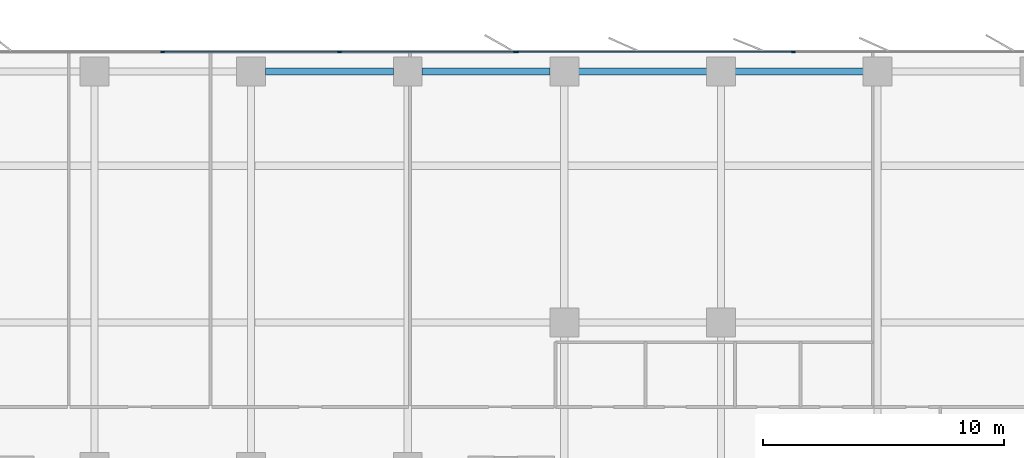
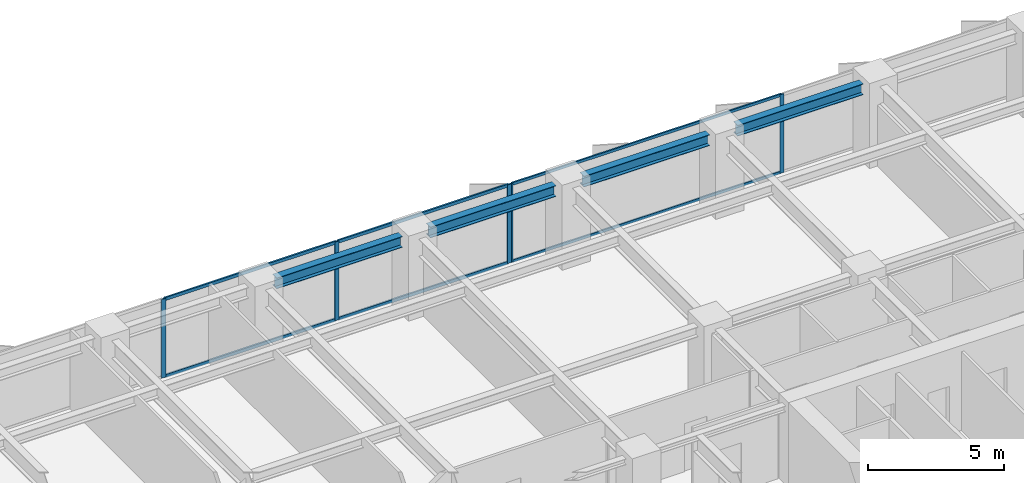
# One storey, part 9 of 20: 11 members, 4 beams, 2 elements without a shape of their own.
"""IFC4 building model written with IfcOpenShell, lengths in metres."""

from ifc_helpers import new_model, si_unit, direction, frame, origin, origin_2d, place, context, subcontext, project, spatial, rectangle, i_section, extrude, material, layer, layer_set, material_profile, profile_set, type_object, element, aggregate, save


model = new_model("IFC4")

# Units and contexts
model_context = context("Model", 3, precision=1e-05, world=origin(), true_north=direction((0.0, 1.0)))
body_context = subcontext(model_context, "Body", "Model", "MODEL_VIEW")
ifc_project = project(units=[si_unit("LENGTHUNIT", "METRE"), si_unit("AREAUNIT", "SQUARE_METRE"), si_unit("VOLUMEUNIT", "CUBIC_METRE"), si_unit("PLANEANGLEUNIT", "RADIAN"), si_unit("MASSUNIT", "GRAM", prefix="KILO")], contexts=[model_context])

# Site, building, storey
site_placement = place(None, origin())
site = spatial("IfcSite", under=ifc_project, at=site_placement, CompositionType="ELEMENT")
building_placement = place(site_placement, origin())
building = spatial("IfcBuilding", under=site, at=building_placement, Name="Putna Gate Headquarters", CompositionType="ELEMENT")
storey_placement = place(building_placement, frame((0.0, 0.0, 135.39990234375)))
storey = spatial("IfcBuildingStorey", under=building, at=storey_placement, Name="L33", CompositionType="ELEMENT", Elevation=135.39990234375)

# Beams
ifc_material_1 = material(Name="Steel S355J2", Category="steel")
ifc_material_profile_1 = material_profile(ifc_material_1, i_section(OverallWidth=0.300048828125, OverallDepth=0.489990234375, WebThickness=0.011962890625, FlangeThickness=0.02294921875, at=origin_2d()), Name="Steel S355J2")
ifc_profile_set_1 = profile_set([ifc_material_profile_1], Name="Steel S355J2")
beam_type = type_object("IfcBeamType", Name="BM-SPAN-Z2-HEA500", PredefinedType="SPANDREL", material=ifc_profile_set_1)
for number, where, z_axis, x_axis, name in (
    (1, (39.587890625, 49.419921875, 3.275146484375), (1.0, 0.0, 0.0), (0.0, 1.0, 0.0), "L33 N Perimeter Spandrel 6"),
    (2, (46.087890625, 49.419921875, 3.275146484375), (1.0, 0.0, 0.0), (0.0, 1.0, 0.0), "L33 N Perimeter Spandrel 7"),
    (3, (52.587890625, 49.419921875, 3.275146484375), (1.0, 0.0, 0.0), (0.0, 1.0, 0.0), "L33 N Perimeter Spandrel 8"),
    (4, (59.087890625, 49.419921875, 3.275146484375), (1.0, 0.0, 0.0), (0.0, 1.0, 0.0), "L33 N Perimeter Spandrel 9"),
):
    element("IfcBeam", number, at=place(storey_placement, frame(where, z_axis=z_axis, x_axis=x_axis)), inside=storey, type_object=beam_type, Name=name, PredefinedType="SPANDREL", context=body_context, shape_type="SweptSolid", body=[
        extrude(i_section(OverallWidth=0.300048828125, OverallDepth=0.489990234375, WebThickness=0.011962890625, FlangeThickness=0.02294921875, at=origin_2d()), origin(), (0.0, 0.0, 1.0), 5.32421875),
    ])

# Curtain wall, members
ifc_material_2 = material(Name="Anodised bronze aluminium curtain wall", Category="aluminium")
ifc_layer_1 = layer(ifc_material_2, 0.159912109375)
ifc_layer_set_1 = layer_set([ifc_layer_1], Name="Anodised bronze aluminium curtain wall")
curtain_wall_type_1 = type_object("IfcCurtainWallType", Name="CW-SYS-Z2", PredefinedType="USERDEFINED", material=ifc_layer_set_1)
curtain_wall_1_placement = place(storey_placement, origin())
curtain_wall_1 = element("IfcCurtainWall", 5, at=curtain_wall_1_placement, inside=storey, type_object=curtain_wall_type_1, Name="L33 North East Curtain Wall", ObjectType="STICK CURTAIN WALL", PredefinedType="USERDEFINED")
ifc_material_3 = material(Name="Anodised bronze aluminium EN AW-6060", Category="aluminium")
ifc_material_profile_2 = material_profile(ifc_material_3, rectangle(XDim=0.06494140625, YDim=0.159912109375, at=origin_2d()), Name="Anodised bronze aluminium EN AW-6060")
ifc_profile_set_2 = profile_set([ifc_material_profile_2], Name="Anodised bronze aluminium EN AW-6060")
member_type_1 = type_object("IfcMemberType", Name="MULL-CWM-2", PredefinedType="MULLION", material=ifc_profile_set_2)
member_1_placement = place(storey_placement, frame((50.032470703125, 50.219970703125, 0.0), z_axis=(0.0, 0.0, 1.0), x_axis=(0.0, 1.0, 0.0)))
member_1 = element("IfcMember", 6, at=member_1_placement, type_object=member_type_1, Name="CWS-2 mullion 1", PredefinedType="MULLION", context=body_context, shape_type="SweptSolid", body=[
    extrude(rectangle(XDim=0.06494140625, YDim=0.159912109375, at=origin_2d()), origin(), (0.0, 0.0, 1.0), 3.52001953125),
])
member_2_placement = place(storey_placement, frame((61.5, 50.219970703125, 0.0), z_axis=(0.0, 0.0, 1.0), x_axis=(0.0, 1.0, 0.0)))
member_2 = element("IfcMember", 7, at=member_2_placement, type_object=member_type_1, Name="CWS-2 mullion 2", PredefinedType="MULLION", context=body_context, shape_type="SweptSolid", body=[
    extrude(rectangle(XDim=0.06494140625, YDim=0.159912109375, at=origin_2d()), origin(), (0.0, 0.0, 1.0), 3.52001953125),
])

ifc_layer_2 = layer(ifc_material_2, 0.179931640625)
ifc_layer_set_2 = layer_set([ifc_layer_2], Name="Anodised bronze aluminium curtain wall")
curtain_wall_type_2 = type_object("IfcCurtainWallType", Name="CW-SYS-ATR", PredefinedType="USERDEFINED", material=ifc_layer_set_2)
curtain_wall_2_placement = place(storey_placement, origin())
curtain_wall_2 = element("IfcCurtainWall", 8, at=curtain_wall_2_placement, inside=storey, type_object=curtain_wall_type_2, Name="L33 North Atrium Clear Glazing", ObjectType="ATRIUM GLAZING", PredefinedType="USERDEFINED")
ifc_material_profile_3 = material_profile(ifc_material_3, rectangle(XDim=0.070068359375, YDim=0.179931640625, at=origin_2d()), Name="Anodised bronze aluminium EN AW-6060")
ifc_profile_set_3 = profile_set([ifc_material_profile_3], Name="Anodised bronze aluminium EN AW-6060")
member_type_2 = type_object("IfcMemberType", Name="MULL-CWM-AT", PredefinedType="MULLION", material=ifc_profile_set_3)
member_3_placement = place(storey_placement, frame((35.333251953125, 50.219970703125, 0.0), z_axis=(0.0, 0.0, 1.0), x_axis=(0.0, 1.0, 0.0)))
member_3 = element("IfcMember", 9, at=member_3_placement, type_object=member_type_2, Name="CWS-AT mullion 2", PredefinedType="MULLION", context=body_context, shape_type="SweptSolid", body=[
    extrude(rectangle(XDim=0.070068359375, YDim=0.179931640625, at=origin_2d()), origin(), (0.0, 0.0, 1.0), 3.52001953125),
])
member_4_placement = place(storey_placement, frame((42.666748046875, 50.219970703125, 0.0), z_axis=(0.0, 0.0, 1.0), x_axis=(0.0, 1.0, 0.0)))
member_4 = element("IfcMember", 10, at=member_4_placement, type_object=member_type_2, Name="CWS-AT mullion 3", PredefinedType="MULLION", context=body_context, shape_type="SweptSolid", body=[
    extrude(rectangle(XDim=0.070068359375, YDim=0.179931640625, at=origin_2d()), origin(), (0.0, 0.0, 1.0), 3.52001953125),
])
member_5_placement = place(storey_placement, frame((49.965087890625, 50.219970703125, 0.0), z_axis=(0.0, 0.0, 1.0), x_axis=(0.0, 1.0, 0.0)))
member_5 = element("IfcMember", 11, at=member_5_placement, type_object=member_type_2, Name="CWS-AT mullion 4", PredefinedType="MULLION", context=body_context, shape_type="SweptSolid", body=[
    extrude(rectangle(XDim=0.070068359375, YDim=0.179931640625, at=origin_2d()), origin(), (0.0, 0.0, 1.0), 3.52001953125),
])

# Member
ifc_material_profile_4 = material_profile(ifc_material_3, rectangle(XDim=0.06494140625, YDim=0.1201171875, at=origin_2d()), Name="Anodised bronze aluminium EN AW-6060")
ifc_profile_set_4 = profile_set([ifc_material_profile_4], Name="Anodised bronze aluminium EN AW-6060")
member_type_3 = type_object("IfcMemberType", Name="TRAN-CWT-2", PredefinedType="USERDEFINED", material=ifc_profile_set_4)
member_6_placement = place(storey_placement, frame((50.06494140625, 50.219970703125, 0.03271484375), z_axis=(1.0, 0.0, 0.0), x_axis=(0.0, 1.0, 0.0)))
member_6 = element("IfcMember", 12, at=member_6_placement, type_object=member_type_3, Name="CWS-2 transom 1.1", ObjectType="TRANSOM", PredefinedType="USERDEFINED", context=body_context, shape_type="SweptSolid", body=[
    extrude(rectangle(XDim=0.06494140625, YDim=0.1201171875, at=origin_2d()), origin(), (0.0, 0.0, 1.0), 11.402587890625),
])

member_7_placement = place(storey_placement, frame((50.06494140625, 50.219970703125, 3.487548828125), z_axis=(1.0, 0.0, 0.0), x_axis=(0.0, 1.0, 0.0)))
member_7 = element("IfcMember", 13, at=member_7_placement, type_object=member_type_3, Name="CWS-2 transom 1.2", ObjectType="TRANSOM", PredefinedType="USERDEFINED", context=body_context, shape_type="SweptSolid", body=[
    extrude(rectangle(XDim=0.06494140625, YDim=0.1201171875, at=origin_2d()), origin(), (0.0, 0.0, 1.0), 11.402587890625),
])

aggregate(curtain_wall_1, [member_1, member_2, member_6, member_7])

ifc_material_profile_5 = material_profile(ifc_material_3, rectangle(XDim=0.070068359375, YDim=0.139892578125, at=origin_2d()), Name="Anodised bronze aluminium EN AW-6060")
ifc_profile_set_5 = profile_set([ifc_material_profile_5], Name="Anodised bronze aluminium EN AW-6060")
member_type_4 = type_object("IfcMemberType", Name="TRAN-CWT-AT", PredefinedType="USERDEFINED", material=ifc_profile_set_5)
member_8_placement = place(storey_placement, frame((35.368408203125, 50.219970703125, 0.03515625), z_axis=(1.0, 0.0, 0.0), x_axis=(0.0, 1.0, 0.0)))
member_8 = element("IfcMember", 14, at=member_8_placement, type_object=member_type_4, Name="CWS-AT transom 2.1", ObjectType="TRANSOM", PredefinedType="USERDEFINED", context=body_context, shape_type="SweptSolid", body=[
    extrude(rectangle(XDim=0.070068359375, YDim=0.139892578125, at=origin_2d()), origin(), (0.0, 0.0, 1.0), 7.26318359375),
])

member_9_placement = place(storey_placement, frame((35.368408203125, 50.219970703125, 3.485107421875), z_axis=(1.0, 0.0, 0.0), x_axis=(0.0, 1.0, 0.0)))
member_9 = element("IfcMember", 15, at=member_9_placement, type_object=member_type_4, Name="CWS-AT transom 2.2", ObjectType="TRANSOM", PredefinedType="USERDEFINED", context=body_context, shape_type="SweptSolid", body=[
    extrude(rectangle(XDim=0.070068359375, YDim=0.139892578125, at=origin_2d()), origin(), (0.0, 0.0, 1.0), 7.26318359375),
])

member_10_placement = place(storey_placement, frame((42.70166015625, 50.219970703125, 0.03515625), z_axis=(1.0, 0.0, 0.0), x_axis=(0.0, 1.0, 0.0)))
member_10 = element("IfcMember", 16, at=member_10_placement, type_object=member_type_4, Name="CWS-AT transom 3.1", ObjectType="TRANSOM", PredefinedType="USERDEFINED", context=body_context, shape_type="SweptSolid", body=[
    extrude(rectangle(XDim=0.070068359375, YDim=0.139892578125, at=origin_2d()), origin(), (0.0, 0.0, 1.0), 7.228271484375),
])

member_11_placement = place(storey_placement, frame((42.70166015625, 50.219970703125, 3.485107421875), z_axis=(1.0, 0.0, 0.0), x_axis=(0.0, 1.0, 0.0)))
member_11 = element("IfcMember", 17, at=member_11_placement, type_object=member_type_4, Name="CWS-AT transom 3.2", ObjectType="TRANSOM", PredefinedType="USERDEFINED", context=body_context, shape_type="SweptSolid", body=[
    extrude(rectangle(XDim=0.070068359375, YDim=0.139892578125, at=origin_2d()), origin(), (0.0, 0.0, 1.0), 7.228271484375),
])

aggregate(curtain_wall_2, [member_3, member_4, member_5, member_8, member_9, member_10, member_11])

save(model, "model.ifc")
